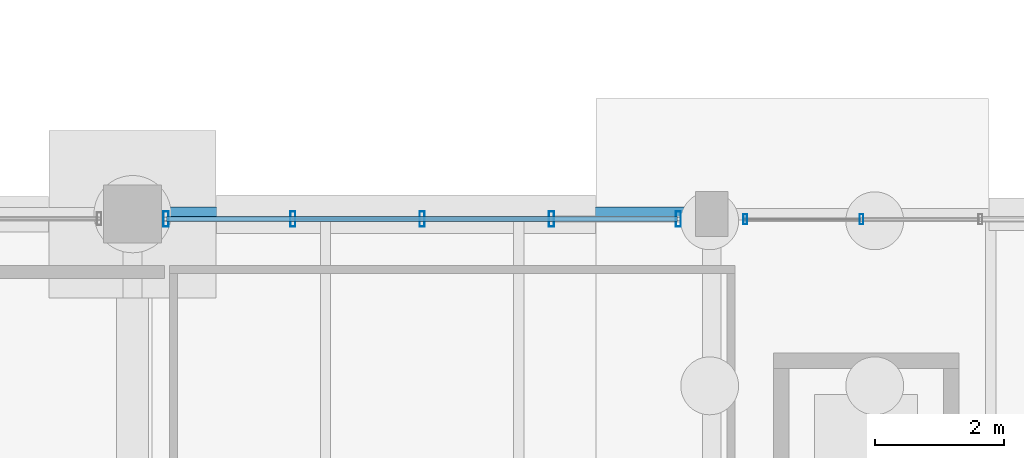
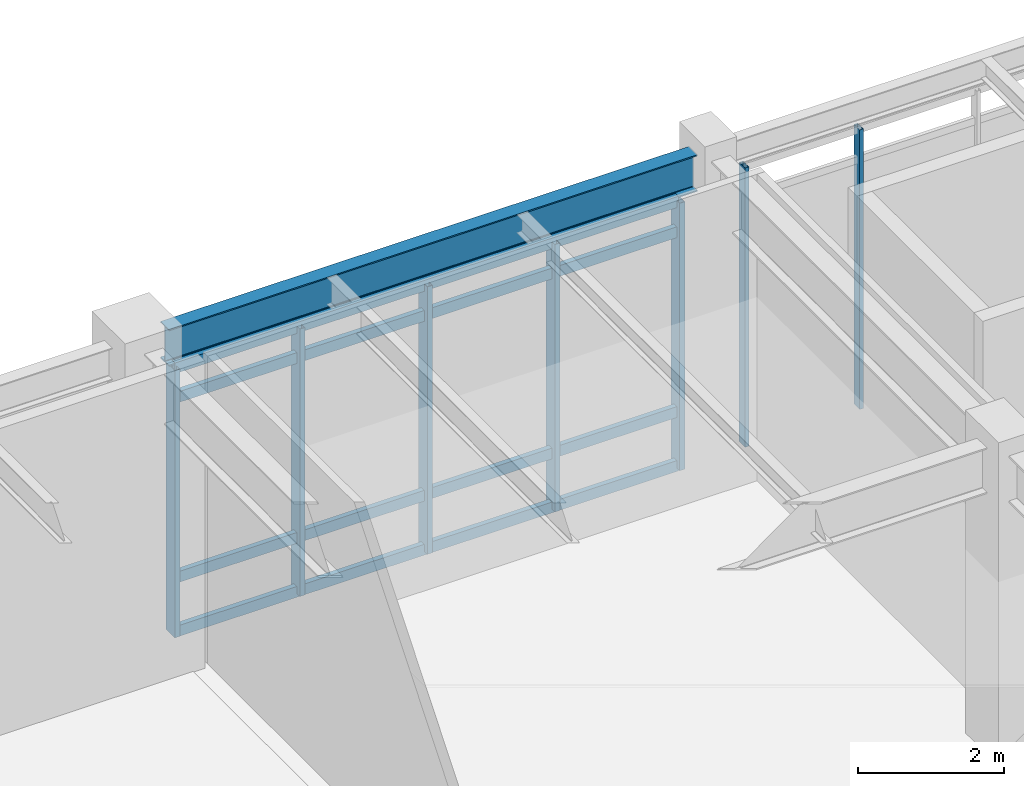
# One storey, part 145 of 203: 11 members, 1 beam, 2 elements without a shape of their own.
"""IFC4 building model written with IfcOpenShell, lengths in metres."""

from ifc_helpers import new_model, si_unit, direction, frame, origin, origin_2d, place, context, subcontext, project, spatial, hollow_rectangle, i_section, extrude, material, material_profile, profile_set, type_object, element, aggregate, save


model = new_model("IFC4")

# Units and contexts
model_context = context("Model", 3, precision=1e-05, world=origin(), true_north=direction((0.0, 1.0)))
body_context = subcontext(model_context, "Body", "Model", "MODEL_VIEW")
ifc_project = project(units=[si_unit("LENGTHUNIT", "METRE"), si_unit("AREAUNIT", "SQUARE_METRE"), si_unit("VOLUMEUNIT", "CUBIC_METRE"), si_unit("PLANEANGLEUNIT", "RADIAN"), si_unit("MASSUNIT", "GRAM", prefix="KILO"), si_unit("THERMODYNAMICTEMPERATUREUNIT", "KELVIN"), si_unit("POWERUNIT", "WATT")], contexts=[model_context])

# Site, building, storey
site_placement = place(None, origin())
site = spatial("IfcSite", under=ifc_project, at=site_placement, CompositionType="ELEMENT")
building_placement = place(site_placement, origin())
building = spatial("IfcBuilding", under=site, at=building_placement, Name="Tepalcoro Natatorium and Aquatics Centre", CompositionType="ELEMENT")
storey_placement = place(building_placement, origin())
storey = spatial("IfcBuildingStorey", under=building, at=storey_placement, Name="L00", CompositionType="ELEMENT", Elevation=0.0)

# Curtain wall, members
ifc_material_1 = material(Name="Bronze-Anodised Extruded Aluminium Alloy EN AW-6063 T6", Category="aluminium")
curtain_wall_type_1 = type_object("IfcCurtainWallType", Name="CW_LEAN_T2_EW", PredefinedType="USERDEFINED", material=ifc_material_1)
curtain_wall_1_placement = place(storey_placement, origin())
curtain_wall_1 = element("IfcCurtainWall", 1, at=curtain_wall_1_placement, inside=storey, type_object=curtain_wall_type_1, Name="V5 L00 N Unitised Curtain Wall Bay 4", ObjectType="FACETED SOLAR GLAZING", PredefinedType="USERDEFINED")
ifc_material_profile_1 = material_profile(ifc_material_1, hollow_rectangle(XDim=0.06005859375, YDim=0.159912109375, WallThickness=0.00390625, at=origin_2d()), Name="AL60X160X4")
ifc_profile_set_1 = profile_set([ifc_material_profile_1], Name="Bronze-Anodised Extruded Aluminium Alloy EN AW-6063 T6")
member_type_1 = type_object("IfcMemberType", Name="CW_MUL_60x160", PredefinedType="MULLION", material=ifc_profile_set_1)
member_1_placement = place(storey_placement, frame((125.52001953125, 117.919921875, 0.02001953125), z_axis=(0.0, 0.0, 1.0), x_axis=(1.0, 0.0, 0.0)))
member_1 = element("IfcMember", 2, at=member_1_placement, type_object=member_type_1, Name="CW_LEAN_T2_EW Curtain Wall Mullion", PredefinedType="MULLION", context=body_context, shape_type="SweptSolid", body=[
    extrude(hollow_rectangle(XDim=0.06005859375, YDim=0.159912109375, WallThickness=0.00390625, at=origin_2d()), origin(), (0.0, 0.0, 1.0), 4.656982421875),
])
member_2_placement = place(storey_placement, frame((127.32666015625, 117.919921875, 0.02001953125), z_axis=(0.0, 0.0, 1.0), x_axis=(1.0, 0.0, 0.0)))
member_2 = element("IfcMember", 3, at=member_2_placement, type_object=member_type_1, Name="CW_LEAN_T2_EW Curtain Wall Mullion", PredefinedType="MULLION", context=body_context, shape_type="SweptSolid", body=[
    extrude(hollow_rectangle(XDim=0.06005859375, YDim=0.159912109375, WallThickness=0.00390625, at=origin_2d()), origin(), (0.0, 0.0, 1.0), 4.656982421875),
])
aggregate(curtain_wall_1, [member_1, member_2])

curtain_wall_type_2 = type_object("IfcCurtainWallType", Name="CW_LEAN_T2_NS", PredefinedType="USERDEFINED", material=ifc_material_1)
curtain_wall_2_placement = place(storey_placement, origin())
curtain_wall_2 = element("IfcCurtainWall", 4, at=curtain_wall_2_placement, inside=storey, type_object=curtain_wall_type_2, Name="V5 L00 N Unitised Curtain Wall Bay 3", ObjectType="FACETED SOLAR GLAZING", PredefinedType="USERDEFINED")
ifc_material_profile_2 = material_profile(ifc_material_1, hollow_rectangle(XDim=0.080078125, YDim=0.239990234375, WallThickness=0.0048828125, at=origin_2d()), Name="AL80X240X5")
ifc_profile_set_2 = profile_set([ifc_material_profile_2], Name="Bronze-Anodised Extruded Aluminium Alloy EN AW-6063 T6")
member_type_2 = type_object("IfcMemberType", Name="CW_MUL_80x240", PredefinedType="MULLION", material=ifc_profile_set_2)
member_3_placement = place(storey_placement, frame((116.52001953125, 117.923828125, 0.02001953125), z_axis=(0.0, 0.0, 1.0), x_axis=(1.0, 0.0, 0.0)))
member_3 = element("IfcMember", 5, at=member_3_placement, type_object=member_type_2, Name="CW_LEAN_T2_NS Curtain Wall Mullion", PredefinedType="MULLION", context=body_context, shape_type="SweptSolid", body=[
    extrude(hollow_rectangle(XDim=0.080078125, YDim=0.239990234375, WallThickness=0.0048828125, at=origin_2d()), origin(), (0.0, 0.0, 1.0), 4.4580078125),
])
member_4_placement = place(storey_placement, frame((118.489990234375, 117.923828125, 0.02001953125), z_axis=(0.0, 0.0, 1.0), x_axis=(1.0, 0.0, 0.0)))
member_4 = element("IfcMember", 6, at=member_4_placement, type_object=member_type_2, Name="CW_LEAN_T2_NS Curtain Wall Mullion", PredefinedType="MULLION", context=body_context, shape_type="SweptSolid", body=[
    extrude(hollow_rectangle(XDim=0.080078125, YDim=0.239990234375, WallThickness=0.0048828125, at=origin_2d()), origin(), (0.0, 0.0, 1.0), 4.4580078125),
])
member_5_placement = place(storey_placement, frame((120.5, 117.923828125, 0.02001953125), z_axis=(0.0, 0.0, 1.0), x_axis=(1.0, 0.0, 0.0)))
member_5 = element("IfcMember", 7, at=member_5_placement, type_object=member_type_2, Name="CW_LEAN_T2_NS Curtain Wall Mullion", PredefinedType="MULLION", context=body_context, shape_type="SweptSolid", body=[
    extrude(hollow_rectangle(XDim=0.080078125, YDim=0.239990234375, WallThickness=0.0048828125, at=origin_2d()), origin(), (0.0, 0.0, 1.0), 4.4580078125),
])
member_6_placement = place(storey_placement, frame((122.510009765625, 117.923828125, 0.02001953125), z_axis=(0.0, 0.0, 1.0), x_axis=(1.0, 0.0, 0.0)))
member_6 = element("IfcMember", 8, at=member_6_placement, type_object=member_type_2, Name="CW_LEAN_T2_NS Curtain Wall Mullion", PredefinedType="MULLION", context=body_context, shape_type="SweptSolid", body=[
    extrude(hollow_rectangle(XDim=0.080078125, YDim=0.239990234375, WallThickness=0.0048828125, at=origin_2d()), origin(), (0.0, 0.0, 1.0), 4.4580078125),
])
member_7_placement = place(storey_placement, frame((124.47998046875, 117.923828125, 0.02001953125), z_axis=(0.0, 0.0, 1.0), x_axis=(1.0, 0.0, 0.0)))
member_7 = element("IfcMember", 9, at=member_7_placement, type_object=member_type_2, Name="CW_LEAN_T2_NS Curtain Wall Mullion", PredefinedType="MULLION", context=body_context, shape_type="SweptSolid", body=[
    extrude(hollow_rectangle(XDim=0.080078125, YDim=0.239990234375, WallThickness=0.0048828125, at=origin_2d()), origin(), (0.0, 0.0, 1.0), 4.4580078125),
])
ifc_material_profile_3 = material_profile(ifc_material_1, hollow_rectangle(XDim=0.080078125, YDim=0.179931640625, WallThickness=0.0048828125, at=origin_2d()), Name="AL80X180X5")
ifc_profile_set_3 = profile_set([ifc_material_profile_3], Name="Bronze-Anodised Extruded Aluminium Alloy EN AW-6063 T6")
member_type_3 = type_object("IfcMemberType", Name="CW_TRN_80x180", PredefinedType="USERDEFINED", material=ifc_profile_set_3)
member_8_placement = place(storey_placement, frame((116.530029296875, 117.923828125, 0.050048828125), z_axis=(1.0, 0.0, 0.0), x_axis=(0.0, 1.0, 0.0)))
member_8 = element("IfcMember", 10, at=member_8_placement, type_object=member_type_3, Name="CW_LEAN_T2_NS Curtain Wall Transom", ObjectType="TRANSOM", PredefinedType="USERDEFINED", context=body_context, shape_type="SweptSolid", body=[
    extrude(hollow_rectangle(XDim=0.080078125, YDim=0.179931640625, WallThickness=0.0048828125, at=origin_2d()), origin(), (0.0, 0.0, 1.0), 7.93994140625),
])
member_9_placement = place(storey_placement, frame((116.530029296875, 117.923828125, 0.949951171875), z_axis=(1.0, 0.0, 0.0), x_axis=(0.0, 1.0, 0.0)))
member_9 = element("IfcMember", 11, at=member_9_placement, type_object=member_type_3, Name="CW_LEAN_T2_NS Curtain Wall Transom", ObjectType="TRANSOM", PredefinedType="USERDEFINED", context=body_context, shape_type="SweptSolid", body=[
    extrude(hollow_rectangle(XDim=0.080078125, YDim=0.179931640625, WallThickness=0.0048828125, at=origin_2d()), origin(), (0.0, 0.0, 1.0), 7.93994140625),
])
member_10_placement = place(storey_placement, frame((116.530029296875, 117.923828125, 3.947998046875), z_axis=(1.0, 0.0, 0.0), x_axis=(0.0, 1.0, 0.0)))
member_10 = element("IfcMember", 12, at=member_10_placement, type_object=member_type_3, Name="CW_LEAN_T2_NS Curtain Wall Transom", ObjectType="TRANSOM", PredefinedType="USERDEFINED", context=body_context, shape_type="SweptSolid", body=[
    extrude(hollow_rectangle(XDim=0.080078125, YDim=0.179931640625, WallThickness=0.0048828125, at=origin_2d()), origin(), (0.0, 0.0, 1.0), 7.93994140625),
])
member_11_placement = place(storey_placement, frame((116.530029296875, 117.923828125, 4.447998046875), z_axis=(1.0, 0.0, 0.0), x_axis=(0.0, 1.0, 0.0)))
member_11 = element("IfcMember", 13, at=member_11_placement, type_object=member_type_3, Name="CW_LEAN_T2_NS Curtain Wall Transom", ObjectType="TRANSOM", PredefinedType="USERDEFINED", context=body_context, shape_type="SweptSolid", body=[
    extrude(hollow_rectangle(XDim=0.080078125, YDim=0.179931640625, WallThickness=0.0048828125, at=origin_2d()), origin(), (0.0, 0.0, 1.0), 7.93994140625),
])
aggregate(curtain_wall_2, [member_3, member_4, member_5, member_6, member_7, member_8, member_9, member_10, member_11])

# Beam
ifc_material_2 = material(Name="Steel ASTM A992 Grade 50 (Fy 345 MPa)", Category="steel")
ifc_material_profile_4 = material_profile(ifc_material_2, i_section(OverallWidth=0.22900390625, OverallDepth=0.612060546875, WebThickness=0.011962890625, FlangeThickness=0.02001953125, FilletRadius=0.013916015625, at=origin_2d()), Name="W24X84")
ifc_profile_set_4 = profile_set([ifc_material_profile_4], Name="Steel ASTM A992 Grade 50 (Fy 345 MPa)")
beam_type = type_object("IfcBeamType", Name="SP_W24x84", PredefinedType="SPANDREL", material=ifc_profile_set_4)
beam_placement = place(storey_placement, frame((116.43505859375, 118.0, 4.819091796875), z_axis=(1.0, 0.0, 0.0), x_axis=(0.0, 1.0, 0.0)))
element("IfcBeam", 14, at=beam_placement, inside=storey, type_object=beam_type, Name="V5 L00 Grid Girder X", PredefinedType="SPANDREL", context=body_context, shape_type="SweptSolid", body=[
    extrude(i_section(OverallWidth=0.22900390625, OverallDepth=0.612060546875, WebThickness=0.011962890625, FlangeThickness=0.02001953125, FilletRadius=0.013916015625, at=origin_2d()), origin(), (0.0, 0.0, 1.0), 8.329833984375),
])

save(model, "model.ifc")
